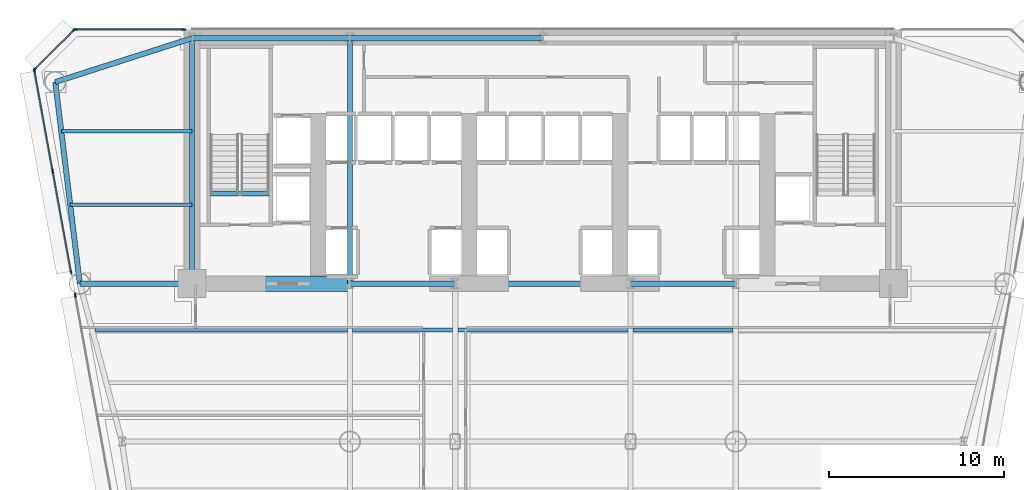
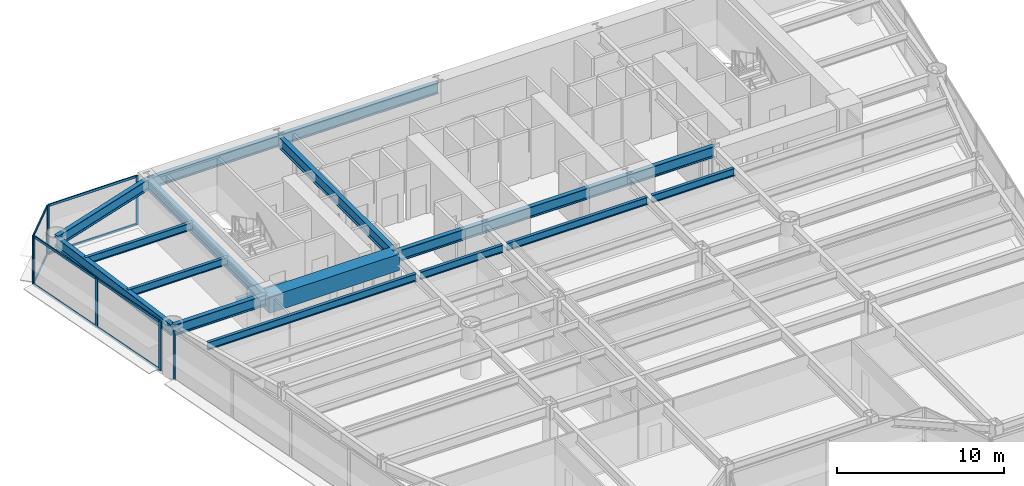
# One storey, part 5 of 14: 18 beams, 16 members, 4 elements without a shape of their own.
"""IFC4 building model written with IfcOpenShell, lengths in metres."""

from ifc_helpers import new_model, si_unit, direction, frame, origin, origin_2d, place, context, subcontext, project, spatial, rectangle, i_section, extrude, source, transform, mapped, material, layer, layer_set, material_profile, profile_set, type_object, element, aggregate, save


model = new_model("IFC4")

# Units and contexts
model_context = context("Model", 3, precision=1e-05, world=origin(), true_north=direction((0.0, 1.0)))
body_context = subcontext(model_context, "Body", "Model", "MODEL_VIEW")
ifc_project = project(units=[si_unit("LENGTHUNIT", "METRE"), si_unit("AREAUNIT", "SQUARE_METRE"), si_unit("VOLUMEUNIT", "CUBIC_METRE"), si_unit("PLANEANGLEUNIT", "RADIAN"), si_unit("MASSUNIT", "GRAM", prefix="KILO")], contexts=[model_context])

# Site, building, storey
site_placement = place(None, origin())
site = spatial("IfcSite", under=ifc_project, at=site_placement, CompositionType="ELEMENT")
building_placement = place(site_placement, origin())
building = spatial("IfcBuilding", under=site, at=building_placement, Name="Vaeldorn Concourse Tower", CompositionType="ELEMENT")
storey_placement = place(building_placement, frame((0.0, 0.0, 45.39990234375)))
storey = spatial("IfcBuildingStorey", under=building, at=storey_placement, Name="L11", CompositionType="ELEMENT", Elevation=45.39990234375)

# Beams
ifc_material_1 = material(Name="Concrete C60/75", Category="concrete")
ifc_material_profile_1 = material_profile(ifc_material_1, rectangle(XDim=0.89990234375, YDim=1.199951171875, at=origin_2d()), Name="RC 900x1200")
ifc_profile_set_1 = profile_set([ifc_material_profile_1], Name="Concrete C60/75")
beam_type_1 = type_object("IfcBeamType", Name="BM-CB-RC900", PredefinedType="BEAM", material=ifc_profile_set_1)
shared_shape_1 = source(origin(), body_context, "Body", "SweptSolid", [
    extrude(rectangle(XDim=0.89990234375, YDim=1.199951171875, at=origin_2d()), origin(), (0.0, 0.0, 1.0), 9.0),
])
beam_1_placement = place(storey_placement, frame((14.0, 36.5, 2.97998046875), z_axis=(1.0, 0.0, 0.0), x_axis=(0.0, 1.0, 0.0)))
element("IfcBeam", 1, at=beam_1_placement, inside=storey, type_object=beam_type_1, Name="Core Coupling Beam L11-1", PredefinedType="BEAM", context=body_context, shape_type="MappedRepresentation", body=[
    mapped(shared_shape_1, transform((0.0, 0.0, 0.0), scale=1.0)),
])
ifc_material_2 = material(Name="Steel S355", Category="steel")
ifc_material_profile_2 = material_profile(ifc_material_2, i_section(OverallWidth=0.300048828125, OverallDepth=0.340087890625, WebThickness=0.011962890625, FlangeThickness=0.021484375, FilletRadius=0.027099609375, at=origin_2d()), Name="HEB 340")
ifc_profile_set_2 = profile_set([ifc_material_profile_2], Name="Steel S355")
beam_type_2 = type_object("IfcBeamType", Name="BM-ST-TRIM", PredefinedType="BEAM", material=ifc_profile_set_2)
shared_shape_2 = source(origin(), body_context, "Body", "SweptSolid", [
    extrude(i_section(OverallWidth=0.300048828125, OverallDepth=0.340087890625, WebThickness=0.011962890625, FlangeThickness=0.021484375, FilletRadius=0.027099609375, at=origin_2d()), origin(), (0.0, 0.0, 1.0), 3.590087890625),
])
beam_2_placement = place(storey_placement, frame((14.929931640625, 41.639892578125, -0.389892578125), z_axis=(1.0, 0.0, 0.0), x_axis=(0.0, 1.0, 0.0)))
element("IfcBeam", 2, at=beam_2_placement, inside=storey, type_object=beam_type_2, Name="Stair Landing Trimmer Beam ST-1 L11", PredefinedType="BEAM", context=body_context, shape_type="MappedRepresentation", body=[
    mapped(shared_shape_2, transform((0.0, 0.0, 0.0), scale=1.0)),
])
ifc_material_profile_3 = material_profile(ifc_material_2, i_section(OverallWidth=0.300048828125, OverallDepth=0.800048828125, WebThickness=0.017578125, FlangeThickness=0.032958984375, FilletRadius=0.030029296875, at=origin_2d()), Name="HEB 800")
ifc_profile_set_3 = profile_set([ifc_material_profile_3], Name="Steel S355")
beam_type_3 = type_object("IfcBeamType", Name="BM-PG-HEB800", PredefinedType="BEAM", material=ifc_profile_set_3)
shared_shape_3 = source(origin(), body_context, "Body", "SweptSolid", [
    extrude(i_section(OverallWidth=0.300048828125, OverallDepth=0.800048828125, WebThickness=0.017578125, FlangeThickness=0.032958984375, FilletRadius=0.030029296875, at=origin_2d()), origin(), (0.0, 0.0, 1.0), 6.0),
])
for number, where, z_axis, x_axis, name in (
    (3, (23.0, 36.5, 3.18017578125), (1.0, 0.0, 0.0), (0.0, 1.0, 0.0), "Beam BM-L11-C-FC2-C-FC3"),
    (4, (39.0, 36.5, 3.18017578125), (1.0, 0.0, 0.0), (0.0, 1.0, 0.0), "Beam BM-L11-C-FC4-C-FC5"),
):
    element("IfcBeam", number, at=place(storey_placement, frame(where, z_axis=z_axis, x_axis=x_axis)), inside=storey, type_object=beam_type_3, Name=name, PredefinedType="BEAM", context=body_context, shape_type="MappedRepresentation", body=[
        mapped(shared_shape_3, transform((0.0, 0.0, 0.0), scale=1.0)),
    ])
shared_shape_4 = source(origin(), body_context, "Body", "SweptSolid", [
    extrude(i_section(OverallWidth=0.300048828125, OverallDepth=0.800048828125, WebThickness=0.017578125, FlangeThickness=0.032958984375, FilletRadius=0.030029296875, at=origin_2d()), origin(), (0.0, 0.0, 1.0), 10.0),
])
beam_3_placement = place(storey_placement, frame((29.0, 36.5, 3.18017578125), z_axis=(1.0, 0.0, 0.0), x_axis=(0.0, 1.0, 0.0)))
element("IfcBeam", 5, at=beam_3_placement, inside=storey, type_object=beam_type_3, Name="Beam BM-L11-C-FC3-C-FC4", PredefinedType="BEAM", context=body_context, shape_type="MappedRepresentation", body=[
    mapped(shared_shape_4, transform((0.0, 0.0, 0.0), scale=1.0)),
])
shared_shape_5 = source(origin(), body_context, "Body", "SweptSolid", [
    extrude(i_section(OverallWidth=0.300048828125, OverallDepth=0.800048828125, WebThickness=0.017578125, FlangeThickness=0.032958984375, FilletRadius=0.030029296875, at=origin_2d()), origin(), (0.0, 0.0, 1.0), 9.0),
])
beam_4_placement = place(storey_placement, frame((14.0, 50.5, 3.18017578125), z_axis=(1.0, 0.0, 0.0), x_axis=(0.0, 1.0, 0.0)))
element("IfcBeam", 6, at=beam_4_placement, inside=storey, type_object=beam_type_3, Name="Beam BM-L11-C-HC1-C-HC2", PredefinedType="BEAM", context=body_context, shape_type="MappedRepresentation", body=[
    mapped(shared_shape_5, transform((0.0, 0.0, 0.0), scale=1.0)),
])
shared_shape_6 = source(origin(), body_context, "Body", "SweptSolid", [
    extrude(i_section(OverallWidth=0.300048828125, OverallDepth=0.800048828125, WebThickness=0.017578125, FlangeThickness=0.032958984375, FilletRadius=0.030029296875, at=origin_2d()), origin(), (0.0, 0.0, 1.0), 11.0),
])
beam_5_placement = place(storey_placement, frame((23.0, 50.5, 3.18017578125), z_axis=(1.0, 0.0, 0.0), x_axis=(0.0, 1.0, 0.0)))
element("IfcBeam", 7, at=beam_5_placement, inside=storey, type_object=beam_type_3, Name="Beam BM-L11-C-HC2-C-HC3", PredefinedType="BEAM", context=body_context, shape_type="MappedRepresentation", body=[
    mapped(shared_shape_6, transform((0.0, 0.0, 0.0), scale=1.0)),
])
shared_shape_7 = source(origin(), body_context, "Body", "SweptSolid", [
    extrude(i_section(OverallWidth=0.300048828125, OverallDepth=0.800048828125, WebThickness=0.017578125, FlangeThickness=0.032958984375, FilletRadius=0.030029296875, at=origin_2d()), origin(), (0.0, 0.0, 1.0), 14.0),
])
for number, where, z_axis, x_axis, name in (
    (8, (14.0, 36.5, 3.18017578125), (0.0, 1.0, 0.0), (-1.0, 0.0, 0.0), "Beam BM-L11-C-FC1-C-HC1"),
    (9, (23.0, 36.5, 3.18017578125), (0.0, 1.0, 0.0), (-1.0, 0.0, 0.0), "Beam BM-L11-C-FC2-C-HC2"),
):
    element("IfcBeam", number, at=place(storey_placement, frame(where, z_axis=z_axis, x_axis=x_axis)), inside=storey, type_object=beam_type_3, Name=name, PredefinedType="BEAM", context=body_context, shape_type="MappedRepresentation", body=[
        mapped(shared_shape_7, transform((0.0, 0.0, 0.0), scale=1.0)),
    ])
shared_shape_8 = source(origin(), body_context, "Body", "SweptSolid", [
    extrude(i_section(OverallWidth=0.300048828125, OverallDepth=0.800048828125, WebThickness=0.017578125, FlangeThickness=0.032958984375, FilletRadius=0.030029296875, at=origin_2d()), origin(), (0.0, 0.0, 1.0), 8.19091796875),
])
beam_6_placement = place(storey_placement, frame((6.199951171875, 48.0, 3.18017578125), z_axis=(0.952282843383, 0.305216949396, 0.0), x_axis=(-0.305216949396, 0.952282843383, 0.0)))
element("IfcBeam", 10, at=beam_6_placement, inside=storey, type_object=beam_type_3, Name="Beam BM-L11-C-NW1-C-HC1", PredefinedType="BEAM", context=body_context, shape_type="MappedRepresentation", body=[
    mapped(shared_shape_8, transform((0.0, 0.0, 0.0), scale=1.0)),
])
shared_shape_9 = source(origin(), body_context, "Body", "SweptSolid", [
    extrude(i_section(OverallWidth=0.300048828125, OverallDepth=0.800048828125, WebThickness=0.017578125, FlangeThickness=0.032958984375, FilletRadius=0.030029296875, at=origin_2d()), origin(), (0.0, 0.0, 1.0), 11.5849609375),
])
beam_7_placement = place(storey_placement, frame((6.199951171875, 48.0, 3.18017578125), z_axis=(0.120859382899, -0.992669637677, 0.0), x_axis=(0.992669637677, 0.120859382899, 0.0)))
element("IfcBeam", 11, at=beam_7_placement, inside=storey, type_object=beam_type_3, Name="Beam BM-L11-C-NW1-C-NW2", PredefinedType="BEAM", context=body_context, shape_type="MappedRepresentation", body=[
    mapped(shared_shape_9, transform((0.0, 0.0, 0.0), scale=1.0)),
])
shared_shape_10 = source(origin(), body_context, "Body", "SweptSolid", [
    extrude(i_section(OverallWidth=0.300048828125, OverallDepth=0.800048828125, WebThickness=0.017578125, FlangeThickness=0.032958984375, FilletRadius=0.030029296875, at=origin_2d()), origin(), (0.0, 0.0, 1.0), 6.39990234375),
])
beam_8_placement = place(storey_placement, frame((7.60009765625, 36.5, 3.18017578125), z_axis=(1.0, 0.0, 0.0), x_axis=(0.0, 1.0, 0.0)))
element("IfcBeam", 12, at=beam_8_placement, inside=storey, type_object=beam_type_3, Name="Beam BM-L11-C-NW2-C-FC1", PredefinedType="BEAM", context=body_context, shape_type="MappedRepresentation", body=[
    mapped(shared_shape_10, transform((0.0, 0.0, 0.0), scale=1.0)),
])
ifc_material_profile_4 = material_profile(ifc_material_2, i_section(OverallWidth=0.2099609375, OverallDepth=0.550048828125, WebThickness=0.010986328125, FlangeThickness=0.01708984375, FilletRadius=0.02392578125, at=origin_2d()), Name="IPE 550")
ifc_profile_set_4 = profile_set([ifc_material_profile_4], Name="Steel S355")
beam_type_4 = type_object("IfcBeamType", Name="BM-JS-IPE550", PredefinedType="JOIST", material=ifc_profile_set_4)
shared_shape_11 = source(origin(), body_context, "Body", "SweptSolid", [
    extrude(i_section(OverallWidth=0.2099609375, OverallDepth=0.550048828125, WebThickness=0.010986328125, FlangeThickness=0.01708984375, FilletRadius=0.02392578125, at=origin_2d()), origin(), (0.0, 0.0, 1.0), 5.7001953125),
])
for number, where, z_axis, x_axis, name in (
    (13, (23.14990234375, 33.860107421875, 3.30517578125), (1.0, 0.0, 0.0), (0.0, 1.0, 0.0), "Beam JS-L11-W2-338"),
    (14, (39.14990234375, 33.860107421875, 3.30517578125), (1.0, 0.0, 0.0), (0.0, 1.0, 0.0), "Beam JS-L11-E2-338"),
):
    element("IfcBeam", number, at=place(storey_placement, frame(where, z_axis=z_axis, x_axis=x_axis)), inside=storey, type_object=beam_type_4, Name=name, PredefinedType="JOIST", context=body_context, shape_type="MappedRepresentation", body=[
        mapped(shared_shape_11, transform((0.0, 0.0, 0.0), scale=1.0)),
    ])
shared_shape_12 = source(origin(), body_context, "Body", "SweptSolid", [
    extrude(i_section(OverallWidth=0.2099609375, OverallDepth=0.550048828125, WebThickness=0.010986328125, FlangeThickness=0.01708984375, FilletRadius=0.02392578125, at=origin_2d()), origin(), (0.0, 0.0, 1.0), 9.7001953125),
])
beam_9_placement = place(storey_placement, frame((29.14990234375, 33.860107421875, 3.30517578125), z_axis=(1.0, 0.0, 0.0), x_axis=(0.0, 1.0, 0.0)))
element("IfcBeam", 15, at=beam_9_placement, inside=storey, type_object=beam_type_4, Name="Beam JS-L11-C-338", PredefinedType="JOIST", context=body_context, shape_type="MappedRepresentation", body=[
    mapped(shared_shape_12, transform((0.0, 0.0, 0.0), scale=1.0)),
])
shared_shape_13 = source(origin(), body_context, "Body", "SweptSolid", [
    extrude(i_section(OverallWidth=0.2099609375, OverallDepth=0.550048828125, WebThickness=0.010986328125, FlangeThickness=0.01708984375, FilletRadius=0.02392578125, at=origin_2d()), origin(), (0.0, 0.0, 1.0), 6.94775390625),
])
beam_10_placement = place(storey_placement, frame((7.05224609375, 41.0, 3.30517578125), z_axis=(1.0, 0.0, 0.0), x_axis=(0.0, 1.0, 0.0)))
element("IfcBeam", 16, at=beam_10_placement, inside=storey, type_object=beam_type_4, Name="Beam JS-L11-NW-410", PredefinedType="JOIST", context=body_context, shape_type="MappedRepresentation", body=[
    mapped(shared_shape_13, transform((0.0, 0.0, 0.0), scale=1.0)),
])
shared_shape_14 = source(origin(), body_context, "Body", "SweptSolid", [
    extrude(i_section(OverallWidth=0.2099609375, OverallDepth=0.550048828125, WebThickness=0.010986328125, FlangeThickness=0.01708984375, FilletRadius=0.02392578125, at=origin_2d()), origin(), (0.0, 0.0, 1.0), 7.458984375),
])
beam_11_placement = place(storey_placement, frame((6.541015625, 45.199951171875, 3.30517578125), z_axis=(1.0, 0.0, 0.0), x_axis=(0.0, 1.0, 0.0)))
element("IfcBeam", 17, at=beam_11_placement, inside=storey, type_object=beam_type_4, Name="Beam JS-L11-NW-452", PredefinedType="JOIST", context=body_context, shape_type="MappedRepresentation", body=[
    mapped(shared_shape_14, transform((0.0, 0.0, 0.0), scale=1.0)),
])
shared_shape_15 = source(origin(), body_context, "Body", "SweptSolid", [
    extrude(i_section(OverallWidth=0.2099609375, OverallDepth=0.550048828125, WebThickness=0.010986328125, FlangeThickness=0.01708984375, FilletRadius=0.02392578125, at=origin_2d()), origin(), (0.0, 0.0, 1.0), 14.39599609375),
])
beam_12_placement = place(storey_placement, frame((8.4541015625, 33.860107421875, 3.30517578125), z_axis=(1.0, 0.0, 0.0), x_axis=(0.0, 1.0, 0.0)))
element("IfcBeam", 18, at=beam_12_placement, inside=storey, type_object=beam_type_4, Name="Beam JS-L11-W1-338", PredefinedType="JOIST", context=body_context, shape_type="MappedRepresentation", body=[
    mapped(shared_shape_15, transform((0.0, 0.0, 0.0), scale=1.0)),
])

# Curtain wall, members
ifc_material_3 = material(Name="Anodised Bronze Aluminium", Category="aluminium")
ifc_layer = layer(ifc_material_3, 0.219970703125)
ifc_layer_set = layer_set([ifc_layer], Name="Anodised Bronze Aluminium")
curtain_wall_type = type_object("IfcCurtainWallType", Name="CW-SYS-01", PredefinedType="NOTDEFINED", material=ifc_layer_set)
curtain_wall_1_placement = place(storey_placement, origin())
curtain_wall_1 = element("IfcCurtainWall", 19, at=curtain_wall_1_placement, inside=storey, type_object=curtain_wall_type, Name="Unitised Curtain Wall CW-L11-E10-1", PredefinedType="NOTDEFINED")
ifc_material_profile_5 = material_profile(ifc_material_3, rectangle(XDim=0.074951171875, YDim=0.179931640625, at=origin_2d()), Name="CWT 75x180")
ifc_profile_set_5 = profile_set([ifc_material_profile_5], Name="Anodised Bronze Aluminium")
member_type_1 = type_object("IfcMemberType", Name="CWT-BRONZE-180", PredefinedType="USERDEFINED", material=ifc_profile_set_5)
shared_shape_16 = source(origin(), body_context, "Body", "SweptSolid", [
    extrude(rectangle(XDim=0.074951171875, YDim=0.179931640625, at=origin_2d()), origin(), (0.0, 0.0, 1.0), 3.10302734375),
])
member_1_placement = place(storey_placement, frame((7.2470703125, 50.947021484375, 0.03759765625), z_axis=(-0.707106781187, -0.707106781187, 0.0), x_axis=(0.707106781187, -0.707106781187, 0.0)))
member_1 = element("IfcMember", 20, at=member_1_placement, type_object=member_type_1, Name="CW-01 transom 1.1", ObjectType="TRANSOM", PredefinedType="USERDEFINED", context=body_context, shape_type="MappedRepresentation", body=[
    mapped(shared_shape_16, transform((0.0, 0.0, 0.0), scale=1.0)),
])
member_2_placement = place(storey_placement, frame((7.2470703125, 50.947021484375, 3.54248046875), z_axis=(-0.707106781187, -0.707106781187, 0.0), x_axis=(0.707106781187, -0.707106781187, 0.0)))
member_2 = element("IfcMember", 21, at=member_2_placement, type_object=member_type_1, Name="CW-01 transom 1.2", ObjectType="TRANSOM", PredefinedType="USERDEFINED", context=body_context, shape_type="MappedRepresentation", body=[
    mapped(shared_shape_16, transform((0.0, 0.0, 0.0), scale=1.0)),
])

curtain_wall_2_placement = place(storey_placement, origin())
curtain_wall_2 = element("IfcCurtainWall", 22, at=curtain_wall_2_placement, inside=storey, type_object=curtain_wall_type, Name="Unitised Curtain Wall CW-L11-E09-2", PredefinedType="NOTDEFINED")
shared_shape_17 = source(origin(), body_context, "Body", "SweptSolid", [
    extrude(rectangle(XDim=0.074951171875, YDim=0.179931640625, at=origin_2d()), origin(), (0.0, 0.0, 1.0), 6.10498046875),
])
member_3_placement = place(storey_placement, frame((13.47998046875, 51.0, 0.03759765625), z_axis=(-1.0, 0.0, 0.0), x_axis=(0.0, -1.0, 0.0)))
member_3 = element("IfcMember", 23, at=member_3_placement, type_object=member_type_1, Name="CW-01 transom 1.1", ObjectType="TRANSOM", PredefinedType="USERDEFINED", context=body_context, shape_type="MappedRepresentation", body=[
    mapped(shared_shape_17, transform((0.0, 0.0, 0.0), scale=1.0)),
])
member_4_placement = place(storey_placement, frame((13.47998046875, 51.0, 3.54248046875), z_axis=(-1.0, 0.0, 0.0), x_axis=(0.0, -1.0, 0.0)))
member_4 = element("IfcMember", 24, at=member_4_placement, type_object=member_type_1, Name="CW-01 transom 1.2", ObjectType="TRANSOM", PredefinedType="USERDEFINED", context=body_context, shape_type="MappedRepresentation", body=[
    mapped(shared_shape_17, transform((0.0, 0.0, 0.0), scale=1.0)),
])
ifc_material_profile_6 = material_profile(ifc_material_3, rectangle(XDim=0.074951171875, YDim=0.219970703125, at=origin_2d()), Name="CWM 75x220")
ifc_profile_set_6 = profile_set([ifc_material_profile_6], Name="Anodised Bronze Aluminium")
member_type_2 = type_object("IfcMemberType", Name="CWM-BRONZE-220", PredefinedType="MULLION", material=ifc_profile_set_6)
shared_shape_18 = source(origin(), body_context, "Body", "SweptSolid", [
    extrude(rectangle(XDim=0.074951171875, YDim=0.219970703125, at=origin_2d()), origin(), (0.0, 0.0, 1.0), 3.580078125),
])
member_5_placement = place(storey_placement, frame((13.517578125, 51.0, 0.0), z_axis=(0.0, 0.0, 1.0), x_axis=(0.0, -1.0, 0.0)))
member_5 = element("IfcMember", 25, at=member_5_placement, type_object=member_type_2, Name="CW-01 mullion 1", PredefinedType="MULLION", context=body_context, shape_type="MappedRepresentation", body=[
    mapped(shared_shape_18, transform((0.0, 0.0, 0.0), scale=1.0)),
])
member_6_placement = place(storey_placement, frame((7.33740234375, 51.0, 0.0), z_axis=(0.0, 0.0, 1.0), x_axis=(0.0, -1.0, 0.0)))
member_6 = element("IfcMember", 26, at=member_6_placement, type_object=member_type_2, Name="CW-01 mullion 2", PredefinedType="MULLION", context=body_context, shape_type="MappedRepresentation", body=[
    mapped(shared_shape_18, transform((0.0, 0.0, 0.0), scale=1.0)),
])
aggregate(curtain_wall_2, [member_5, member_6, member_3, member_4])

# Member
member_7_placement = place(storey_placement, frame((7.2734375, 50.973388671875, 0.0), z_axis=(0.0, 0.0, 1.0), x_axis=(0.707106781187, -0.707106781187, 0.0)))
member_7 = element("IfcMember", 27, at=member_7_placement, type_object=member_type_2, Name="CW-01 mullion 1", PredefinedType="MULLION", context=body_context, shape_type="MappedRepresentation", body=[
    mapped(shared_shape_18, transform((0.0, 0.0, 0.0), scale=1.0)),
])

member_8_placement = place(storey_placement, frame((5.026611328125, 48.7265625, 0.0), z_axis=(0.0, 0.0, 1.0), x_axis=(0.707106781187, -0.707106781187, 0.0)))
member_8 = element("IfcMember", 28, at=member_8_placement, type_object=member_type_2, Name="CW-01 mullion 2", PredefinedType="MULLION", context=body_context, shape_type="MappedRepresentation", body=[
    mapped(shared_shape_18, transform((0.0, 0.0, 0.0), scale=1.0)),
])

aggregate(curtain_wall_1, [member_7, member_8, member_1, member_2])

# Curtain wall, members
curtain_wall_3_placement = place(storey_placement, origin())
curtain_wall_3 = element("IfcCurtainWall", 29, at=curtain_wall_3_placement, inside=storey, type_object=curtain_wall_type, Name="Unitised Curtain Wall CW-L11-E11-1", PredefinedType="NOTDEFINED")
member_9_placement = place(storey_placement, frame((5.006591796875, 48.6630859375, 0.0), z_axis=(0.0, 0.0, 1.0), x_axis=(0.98384366482, 0.17902972712, 0.0)))
member_9 = element("IfcMember", 30, at=member_9_placement, type_object=member_type_2, Name="CW-01 mullion 1", PredefinedType="MULLION", context=body_context, shape_type="MappedRepresentation", body=[
    mapped(shared_shape_18, transform((0.0, 0.0, 0.0), scale=1.0)),
])
member_10_placement = place(storey_placement, frame((6.0537109375, 42.90966796875, 0.0), z_axis=(0.0, 0.0, 1.0), x_axis=(0.98384366482, 0.17902972712, 0.0)))
member_10 = element("IfcMember", 31, at=member_10_placement, type_object=member_type_2, Name="CW-01 mullion 2", PredefinedType="MULLION", context=body_context, shape_type="MappedRepresentation", body=[
    mapped(shared_shape_18, transform((0.0, 0.0, 0.0), scale=1.0)),
])
member_11_placement = place(storey_placement, frame((7.1005859375, 37.156494140625, 0.0), z_axis=(0.0, 0.0, 1.0), x_axis=(0.98384366482, 0.17902972712, 0.0)))
member_11 = element("IfcMember", 32, at=member_11_placement, type_object=member_type_2, Name="CW-01 mullion 3", PredefinedType="MULLION", context=body_context, shape_type="MappedRepresentation", body=[
    mapped(shared_shape_18, transform((0.0, 0.0, 0.0), scale=1.0)),
])

# Curtain wall, member
curtain_wall_4_placement = place(storey_placement, origin())
curtain_wall_4 = element("IfcCurtainWall", 33, at=curtain_wall_4_placement, inside=storey, type_object=curtain_wall_type, Name="Unitised Curtain Wall CW-L11-E11-2", PredefinedType="NOTDEFINED")
member_12_placement = place(storey_placement, frame((7.339599609375, 35.843505859375, 0.0), z_axis=(0.0, 0.0, 1.0), x_axis=(0.983843702363, 0.179029520807, 0.0)))
member_12 = element("IfcMember", 34, at=member_12_placement, type_object=member_type_2, Name="CW-01 mullion 1", PredefinedType="MULLION", context=body_context, shape_type="MappedRepresentation", body=[
    mapped(shared_shape_18, transform((0.0, 0.0, 0.0), scale=1.0)),
])
aggregate(curtain_wall_4, [member_12])

# Member
shared_shape_19 = source(origin(), body_context, "Body", "SweptSolid", [
    extrude(rectangle(XDim=0.074951171875, YDim=0.179931640625, at=origin_2d()), origin(), (0.0, 0.0, 1.0), 5.772705078125),
])
member_13_placement = place(storey_placement, frame((6.060302734375, 42.872802734375, 0.03759765625), z_axis=(0.179064076408, -0.983837413672, 0.0), x_axis=(0.983837413672, 0.179064076408, 0.0)))
member_13 = element("IfcMember", 35, at=member_13_placement, type_object=member_type_1, Name="CW-01 transom 2.1", ObjectType="TRANSOM", PredefinedType="USERDEFINED", context=body_context, shape_type="MappedRepresentation", body=[
    mapped(shared_shape_19, transform((0.0, 0.0, 0.0), scale=1.0)),
])

member_14_placement = place(storey_placement, frame((6.060302734375, 42.872802734375, 3.54248046875), z_axis=(0.179064076408, -0.983837413672, 0.0), x_axis=(0.983837413672, 0.179064076408, 0.0)))
member_14 = element("IfcMember", 36, at=member_14_placement, type_object=member_type_1, Name="CW-01 transom 2.2", ObjectType="TRANSOM", PredefinedType="USERDEFINED", context=body_context, shape_type="MappedRepresentation", body=[
    mapped(shared_shape_19, transform((0.0, 0.0, 0.0), scale=1.0)),
])

shared_shape_20 = source(origin(), body_context, "Body", "SweptSolid", [
    extrude(rectangle(XDim=0.074951171875, YDim=0.179931640625, at=origin_2d()), origin(), (0.0, 0.0, 1.0), 5.77294921875),
])
member_15_placement = place(storey_placement, frame((5.013427734375, 48.626220703125, 0.03759765625), z_axis=(0.179015691376, -0.983846218797, 0.0), x_axis=(0.983846218797, 0.179015691376, 0.0)))
member_15 = element("IfcMember", 37, at=member_15_placement, type_object=member_type_1, Name="CW-01 transom 1.1", ObjectType="TRANSOM", PredefinedType="USERDEFINED", context=body_context, shape_type="MappedRepresentation", body=[
    mapped(shared_shape_20, transform((0.0, 0.0, 0.0), scale=1.0)),
])

member_16_placement = place(storey_placement, frame((5.013427734375, 48.626220703125, 3.54248046875), z_axis=(0.179015691376, -0.983846218797, 0.0), x_axis=(0.983846218797, 0.179015691376, 0.0)))
member_16 = element("IfcMember", 38, at=member_16_placement, type_object=member_type_1, Name="CW-01 transom 1.2", ObjectType="TRANSOM", PredefinedType="USERDEFINED", context=body_context, shape_type="MappedRepresentation", body=[
    mapped(shared_shape_20, transform((0.0, 0.0, 0.0), scale=1.0)),
])

aggregate(curtain_wall_3, [member_9, member_10, member_11, member_15, member_16, member_13, member_14])

save(model, "model.ifc")
